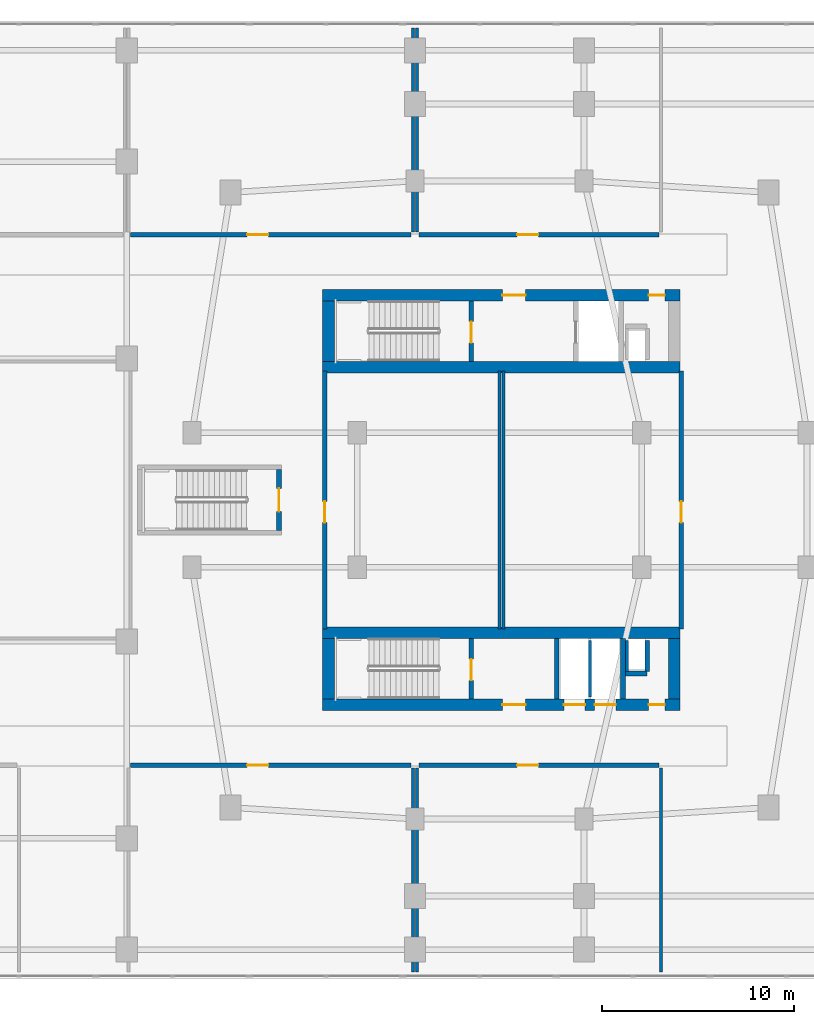
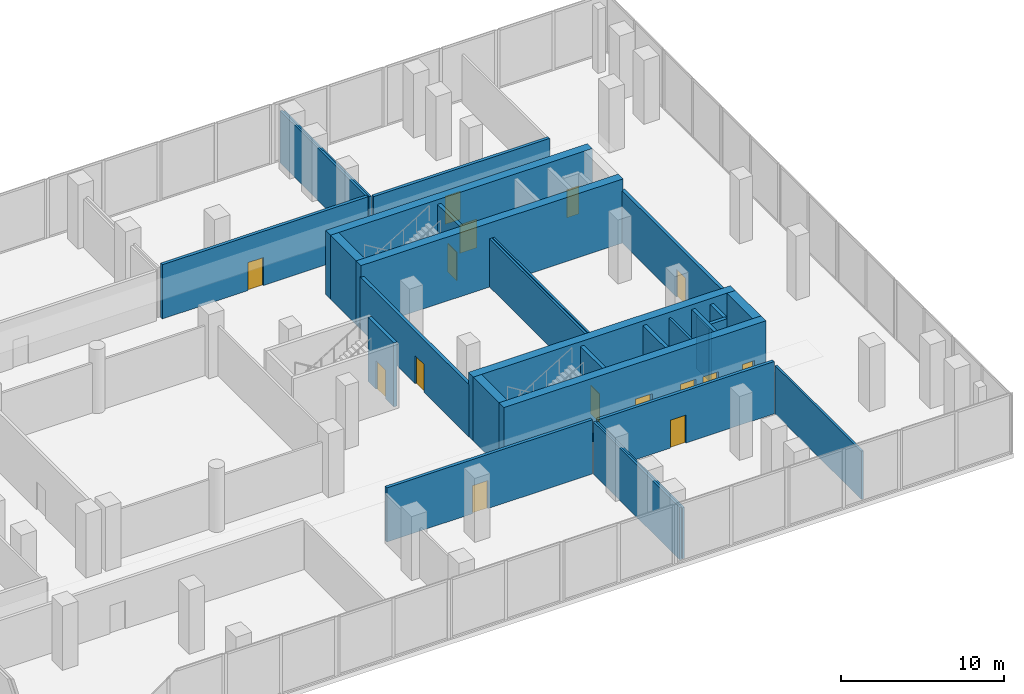
# One storey, part 16 of 23: 29 walls, 15 doors, 15 openings.
"""IFC4 building model written with IfcOpenShell, lengths in metres."""

from ifc_helpers import new_model, si_unit, derived_unit, direction, frame, frame_2d, origin, place, context, subcontext, project, spatial, rectangle, extrude, material, layer, layer_set, type_object, element, fill, save


model = new_model("IFC4")

# Units and contexts
model_context = context("Model", 3, precision=1e-05, world=origin(), true_north=direction((0.0, 1.0)))
body_context = subcontext(model_context, "Body", "Model", "MODEL_VIEW")
ifc_project = project(units=[si_unit("LENGTHUNIT", "METRE"), si_unit("AREAUNIT", "SQUARE_METRE"), si_unit("VOLUMEUNIT", "CUBIC_METRE"), si_unit("PLANEANGLEUNIT", "RADIAN"), si_unit("MASSUNIT", "GRAM", prefix="KILO"), derived_unit("THERMALTRANSMITTANCEUNIT", [(si_unit("POWERUNIT", "WATT"), 1), (si_unit("LENGTHUNIT", "METRE"), -2), (si_unit("THERMODYNAMICTEMPERATUREUNIT", "KELVIN"), -1)])], contexts=[model_context])

# Site, building, storey
site_placement = place(None, origin())
site = spatial("IfcSite", under=ifc_project, at=site_placement, CompositionType="ELEMENT")
building_placement = place(site_placement, origin())
building = spatial("IfcBuilding", under=site, at=building_placement, Name="Kivonza Crest Hotel", CompositionType="ELEMENT")
storey_placement = place(building_placement, frame((0.0, 0.0, 5.39990234375)))
storey = spatial("IfcBuildingStorey", under=building, at=storey_placement, Name="L01", CompositionType="ELEMENT", Elevation=5.39990234375)

# Wall, opening, door
ifc_material_1 = material(Name="Autoclaved aerated concrete blockwork", Category="masonry")
ifc_layer_1 = layer(ifc_material_1, 0.219970703125)
ifc_layer_set_1 = layer_set([ifc_layer_1], Name="Autoclaved aerated concrete blockwork")
wall_type_1 = type_object("IfcWallType", Name="WL-ACOU-220", PredefinedType="SOLIDWALL", material=ifc_layer_set_1)
wall_1_placement = place(storey_placement, frame((57.800048828125, 11.199951171875, 0.0), z_axis=(0.0, 0.0, 1.0), x_axis=(1.0, 0.0, 0.0)))
wall_1 = element("IfcWall", 1, at=wall_1_placement, inside=storey, type_object=wall_type_1, Name="L01 interior partition WA-L01-FOY-1M-N", PredefinedType="SOLIDWALL", context=body_context, shape_type="SweptSolid", body=[
    extrude(rectangle(XDim=14.599853515625, YDim=0.219970703125, at=frame_2d((7.2998046875, 0.0))), origin(), (0.0, 0.0, 1.0), 4.065185546875),
])
opening_1_placement = place(wall_1_placement, frame((6.06494140625, 0.0, 0.0)))
opening_1 = element("IfcOpeningElement", 2, at=opening_1_placement, cuts=wall_1, Name="Opening DF-60M", PredefinedType="OPENING", context=body_context, shape_type="SweptSolid", body=[
    extrude(rectangle(XDim=1.10009765625, YDim=2.10009765625, at=frame_2d((0.550048828125, 1.050048828125))), frame((0.0, 0.1201171875, 0.0), z_axis=(0.0, -1.0, 0.0), x_axis=(1.0, 0.0, 0.0)), (0.0, 0.0, 1.0), 0.239990234375),
])
ifc_material_2 = material(Name="Hardwood timber oak", Category="wood")
door_type_1 = type_object("IfcDoorType", Name="DR-FD60-1100", OperationType="NOTDEFINED", PredefinedType="DOOR", material=ifc_material_2)
door_1_placement = place(opening_1_placement, frame((1.10009765625, 0.0, 0.0), z_axis=(0.0, 0.0, 1.0), x_axis=(-1.0, 0.0, 0.0)))
door_1 = element("IfcDoor", 3, at=door_1_placement, inside=storey, type_object=door_type_1, Name="L01 Companion West Dining Salon door", OperationType="SINGLE_SWING_LEFT", OverallHeight=2.10009765625, OverallWidth=1.10009765625, PredefinedType="DOOR", context=body_context, shape_type="SweptSolid", body=[
    extrude(rectangle(XDim=1.10009765625, YDim=2.10009765625, at=frame_2d((0.550048828125, 1.050048828125))), frame((0.0, 0.02490234375, 0.0), z_axis=(0.0, -1.0, 0.0), x_axis=(1.0, 0.0, 0.0)), (0.0, 0.0, 1.0), 0.050048828125),
])
fill(opening_1, door_1)

wall_2_placement = place(storey_placement, frame((72.800048828125, 11.199951171875, 0.0), z_axis=(0.0, 0.0, 1.0), x_axis=(1.0, 0.0, 0.0)))
wall_2 = element("IfcWall", 4, at=wall_2_placement, inside=storey, type_object=wall_type_1, Name="L01 interior partition WA-L01-FOY-1E-N", PredefinedType="SOLIDWALL", context=body_context, shape_type="SweptSolid", body=[
    extrude(rectangle(XDim=12.5, YDim=0.219970703125, at=frame_2d((6.25, 0.0))), origin(), (0.0, 0.0, 1.0), 3.925048828125),
])
opening_2_placement = place(wall_2_placement, frame((5.1201171875, 0.0, 0.0)))
opening_2 = element("IfcOpeningElement", 5, at=opening_2_placement, cuts=wall_2, Name="Opening DF-60M", PredefinedType="OPENING", context=body_context, shape_type="SweptSolid", body=[
    extrude(rectangle(XDim=1.10009765625, YDim=2.10009765625, at=frame_2d((0.550048828125, 1.050048828125))), frame((0.0, 0.1201171875, 0.0), z_axis=(0.0, -1.0, 0.0), x_axis=(1.0, 0.0, 0.0)), (0.0, 0.0, 1.0), 0.239990234375),
])
door_2_placement = place(opening_2_placement, frame((1.10009765625, 0.0, 0.0), z_axis=(0.0, 0.0, 1.0), x_axis=(-1.0, 0.0, 0.0)))
door_2 = element("IfcDoor", 6, at=door_2_placement, inside=storey, type_object=door_type_1, Name="L01 Companion East Dining Salon door", OperationType="SINGLE_SWING_RIGHT", OverallHeight=2.10009765625, OverallWidth=1.10009765625, PredefinedType="DOOR", context=body_context, shape_type="SweptSolid", body=[
    extrude(rectangle(XDim=1.10009765625, YDim=2.10009765625, at=frame_2d((0.550048828125, 1.050048828125))), frame((0.0, 0.02490234375, 0.0), z_axis=(0.0, -1.0, 0.0), x_axis=(1.0, 0.0, 0.0)), (0.0, 0.0, 1.0), 0.050048828125),
])
fill(opening_2, door_2)

wall_3_placement = place(storey_placement, frame((67.89990234375, 18.300048828125, 0.0), z_axis=(0.0, 0.0, 1.0), x_axis=(0.0, 1.0, 0.0)))
wall_3 = element("IfcWall", 7, at=wall_3_placement, inside=storey, type_object=wall_type_1, Name="L01 interior partition WA-L01-RES-SAL-W", PredefinedType="SOLIDWALL", context=body_context, shape_type="SweptSolid", body=[
    extrude(rectangle(XDim=13.39990234375, YDim=0.219970703125, at=frame_2d((6.699951171875, 0.0))), origin(), (0.0, 0.0, 1.0), 3.925048828125),
])
opening_3_placement = place(wall_3_placement, frame((5.52490234375, 0.0, 0.0)))
opening_3 = element("IfcOpeningElement", 8, at=opening_3_placement, cuts=wall_3, Name="Opening DF-60M", PredefinedType="OPENING", context=body_context, shape_type="SweptSolid", body=[
    extrude(rectangle(XDim=1.10009765625, YDim=2.10009765625, at=frame_2d((0.550048828125, 1.050048828125))), frame((0.0, 0.1201171875, 0.0), z_axis=(0.0, -1.0, 0.0), x_axis=(1.0, 0.0, 0.0)), (0.0, 0.0, 1.0), 0.239990234375),
])
door_3_placement = place(opening_3_placement, frame((1.10009765625, 0.0, 0.0), z_axis=(0.0, 0.0, 1.0), x_axis=(-1.0, 0.0, 0.0)))
door_3 = element("IfcDoor", 9, at=door_3_placement, inside=storey, type_object=door_type_1, Name="L01 Residents Private Dining Salon door", OperationType="SINGLE_SWING_RIGHT", OverallHeight=2.10009765625, OverallWidth=1.10009765625, PredefinedType="DOOR", context=body_context, shape_type="SweptSolid", body=[
    extrude(rectangle(XDim=1.10009765625, YDim=2.10009765625, at=frame_2d((0.550048828125, 1.050048828125))), frame((0.0, 0.02490234375, 0.0), z_axis=(0.0, -1.0, 0.0), x_axis=(1.0, 0.0, 0.0)), (0.0, 0.0, 1.0), 0.050048828125),
])
fill(opening_3, door_3)

wall_4_placement = place(storey_placement, frame((86.449951171875, 18.300048828125, 0.0), z_axis=(0.0, 0.0, 1.0), x_axis=(0.0, 1.0, 0.0)))
wall_4 = element("IfcWall", 10, at=wall_4_placement, inside=storey, type_object=wall_type_1, Name="L01 interior partition WA-L01-RES-CLB-E", PredefinedType="SOLIDWALL", context=body_context, shape_type="SweptSolid", body=[
    extrude(rectangle(XDim=13.39990234375, YDim=0.219970703125, at=frame_2d((6.699951171875, 0.0))), origin(), (0.0, 0.0, 1.0), 3.925048828125),
])
opening_4_placement = place(wall_4_placement, frame((5.52490234375, 0.0, 0.0)))
opening_4 = element("IfcOpeningElement", 11, at=opening_4_placement, cuts=wall_4, Name="Opening DF-60M", PredefinedType="OPENING", context=body_context, shape_type="SweptSolid", body=[
    extrude(rectangle(XDim=1.10009765625, YDim=2.10009765625, at=frame_2d((0.550048828125, 1.050048828125))), frame((0.0, 0.1201171875, 0.0), z_axis=(0.0, -1.0, 0.0), x_axis=(1.0, 0.0, 0.0)), (0.0, 0.0, 1.0), 0.239990234375),
])
door_4_placement = place(opening_4_placement, origin())
door_4 = element("IfcDoor", 12, at=door_4_placement, inside=storey, type_object=door_type_1, Name="L01 Residents Club Reading Room door", OperationType="SINGLE_SWING_LEFT", OverallHeight=2.10009765625, OverallWidth=1.10009765625, PredefinedType="DOOR", context=body_context, shape_type="SweptSolid", body=[
    extrude(rectangle(XDim=1.10009765625, YDim=2.10009765625, at=frame_2d((0.550048828125, 1.050048828125))), frame((0.0, 0.02490234375, 0.0), z_axis=(0.0, -1.0, 0.0), x_axis=(1.0, 0.0, 0.0)), (0.0, 0.0, 1.0), 0.050048828125),
])
fill(opening_4, door_4)

wall_5_placement = place(storey_placement, frame((57.800048828125, 38.800048828125, 0.0), z_axis=(0.0, 0.0, 1.0), x_axis=(1.0, 0.0, 0.0)))
wall_5 = element("IfcWall", 13, at=wall_5_placement, inside=storey, type_object=wall_type_1, Name="L01 interior partition WA-L01-VIP-DIN2-S", PredefinedType="SOLIDWALL", context=body_context, shape_type="SweptSolid", body=[
    extrude(rectangle(XDim=14.599853515625, YDim=0.219970703125, at=frame_2d((7.2998046875, 0.0))), origin(), (0.0, 0.0, 1.0), 4.065185546875),
])
opening_5_placement = place(wall_5_placement, frame((6.06494140625, 0.0, 0.0)))
opening_5 = element("IfcOpeningElement", 14, at=opening_5_placement, cuts=wall_5, Name="Opening DF-60M", PredefinedType="OPENING", context=body_context, shape_type="SweptSolid", body=[
    extrude(rectangle(XDim=1.10009765625, YDim=2.10009765625, at=frame_2d((0.550048828125, 1.050048828125))), frame((0.0, 0.1201171875, 0.0), z_axis=(0.0, -1.0, 0.0), x_axis=(1.0, 0.0, 0.0)), (0.0, 0.0, 1.0), 0.239990234375),
])
door_5_placement = place(opening_5_placement, origin())
door_5 = element("IfcDoor", 15, at=door_5_placement, inside=storey, type_object=door_type_1, Name="L01 North Horizon Banquet Mid door", OperationType="SINGLE_SWING_RIGHT", OverallHeight=2.10009765625, OverallWidth=1.10009765625, PredefinedType="DOOR", context=body_context, shape_type="SweptSolid", body=[
    extrude(rectangle(XDim=1.10009765625, YDim=2.10009765625, at=frame_2d((0.550048828125, 1.050048828125))), frame((0.0, 0.02490234375, 0.0), z_axis=(0.0, -1.0, 0.0), x_axis=(1.0, 0.0, 0.0)), (0.0, 0.0, 1.0), 0.050048828125),
])
fill(opening_5, door_5)

wall_6_placement = place(storey_placement, frame((72.800048828125, 38.800048828125, 0.0), z_axis=(0.0, 0.0, 1.0), x_axis=(1.0, 0.0, 0.0)))
wall_6 = element("IfcWall", 16, at=wall_6_placement, inside=storey, type_object=wall_type_1, Name="L01 interior partition WA-L01-VIP-DIN3-S", PredefinedType="SOLIDWALL", context=body_context, shape_type="SweptSolid", body=[
    extrude(rectangle(XDim=12.5, YDim=0.219970703125, at=frame_2d((6.25, 0.0))), origin(), (0.0, 0.0, 1.0), 3.925048828125),
])
opening_6_placement = place(wall_6_placement, frame((5.1201171875, 0.0, 0.0)))
opening_6 = element("IfcOpeningElement", 17, at=opening_6_placement, cuts=wall_6, Name="Opening DF-60M", PredefinedType="OPENING", context=body_context, shape_type="SweptSolid", body=[
    extrude(rectangle(XDim=1.10009765625, YDim=2.10009765625, at=frame_2d((0.550048828125, 1.050048828125))), frame((0.0, 0.1201171875, 0.0), z_axis=(0.0, -1.0, 0.0), x_axis=(1.0, 0.0, 0.0)), (0.0, 0.0, 1.0), 0.239990234375),
])
door_6_placement = place(opening_6_placement, origin())
door_6 = element("IfcDoor", 18, at=door_6_placement, inside=storey, type_object=door_type_1, Name="L01 North Horizon Banquet East door", OperationType="SINGLE_SWING_LEFT", OverallHeight=2.10009765625, OverallWidth=1.10009765625, PredefinedType="DOOR", context=body_context, shape_type="SweptSolid", body=[
    extrude(rectangle(XDim=1.10009765625, YDim=2.10009765625, at=frame_2d((0.550048828125, 1.050048828125))), frame((0.0, 0.02490234375, 0.0), z_axis=(0.0, -1.0, 0.0), x_axis=(1.0, 0.0, 0.0)), (0.0, 0.0, 1.0), 0.050048828125),
])
fill(opening_6, door_6)

# Wall
ifc_material_3 = material(Name="Concrete C60/75", Category="concrete")
ifc_layer_2 = layer(ifc_material_3, 0.60009765625)
ifc_layer_set_2 = layer_set([ifc_layer_2], Name="Concrete C60/75")
wall_type_2 = type_object("IfcWallType", Name="WL-CORE-600", PredefinedType="SHEAR", material=ifc_layer_set_2)
wall_7_placement = place(storey_placement, frame((67.800048828125, 31.89990234375, 0.0), z_axis=(0.0, 0.0, 1.0), x_axis=(1.0, 0.0, 0.0)))
element("IfcWall", 19, at=wall_7_placement, inside=storey, type_object=wall_type_2, Name="Core wall T2-N South L01", PredefinedType="SHEAR", context=body_context, shape_type="SweptSolid", body=[
    extrude(rectangle(XDim=18.599853515625, YDim=0.60009765625, at=frame_2d((9.2998046875, 0.0))), origin(), (0.0, 0.0, 1.0), 4.800048828125),
])

# Wall, openings, doors
wall_8_placement = place(storey_placement, frame((67.800048828125, 35.659912109375, 0.0), z_axis=(0.0, 0.0, 1.0), x_axis=(1.0, 0.0, 0.0)))
wall_8 = element("IfcWall", 20, at=wall_8_placement, inside=storey, type_object=wall_type_2, Name="Core wall T2-N North L01", PredefinedType="SHEAR", context=body_context, shape_type="SweptSolid", body=[
    extrude(rectangle(XDim=18.599853515625, YDim=0.60009765625, at=frame_2d((9.2998046875, 0.0))), origin(), (0.0, 0.0, 1.0), 4.800048828125),
])
opening_7_placement = place(wall_8_placement, frame((9.35009765625, 0.0, 0.0)))
opening_7 = element("IfcOpeningElement", 21, at=opening_7_placement, cuts=wall_8, Name="Opening DF-60", PredefinedType="OPENING", context=body_context, shape_type="SweptSolid", body=[
    extrude(rectangle(XDim=1.199951171875, YDim=2.14990234375, at=frame_2d((0.60009765625, 1.074951171875))), frame((0.0, 0.31005859375, 0.0), z_axis=(0.0, -1.0, 0.0), x_axis=(1.0, 0.0, 0.0)), (0.0, 0.0, 1.0), 0.6201171875),
])
opening_8_placement = place(wall_8_placement, frame((16.949951171875, 0.0, 0.0)))
opening_8 = element("IfcOpeningElement", 22, at=opening_8_placement, cuts=wall_8, Name="Opening DF-60R", PredefinedType="OPENING", context=body_context, shape_type="SweptSolid", body=[
    extrude(rectangle(XDim=0.85009765625, YDim=2.10009765625, at=frame_2d((0.425048828125, 1.050048828125))), frame((0.0, 0.31005859375, 0.0), z_axis=(0.0, -1.0, 0.0), x_axis=(1.0, 0.0, 0.0)), (0.0, 0.0, 1.0), 0.6201171875),
])
door_type_2 = type_object("IfcDoorType", Name="DR-FD60-1200", OperationType="NOTDEFINED", PredefinedType="DOOR", material=ifc_material_2)
door_7_placement = place(opening_7_placement, origin())
door_7 = element("IfcDoor", 23, at=door_7_placement, inside=storey, type_object=door_type_2, Name="L01 T2-N firefighting lobby fire door", OperationType="SINGLE_SWING_RIGHT", OverallHeight=2.14990234375, OverallWidth=1.199951171875, PredefinedType="DOOR", context=body_context, shape_type="SweptSolid", body=[
    extrude(rectangle(XDim=1.199951171875, YDim=2.14990234375, at=frame_2d((0.60009765625, 1.074951171875))), frame((0.0, 0.02490234375, 0.0), z_axis=(0.0, -1.0, 0.0), x_axis=(1.0, 0.0, 0.0)), (0.0, 0.0, 1.0), 0.050048828125),
])
fill(opening_7, door_7)
door_type_3 = type_object("IfcDoorType", Name="DR-FD60-850", OperationType="NOTDEFINED", PredefinedType="DOOR", material=ifc_material_2)
door_8_placement = place(opening_8_placement, origin())
door_8 = element("IfcDoor", 24, at=door_8_placement, inside=storey, type_object=door_type_3, Name="L01 T2-N core room door", OperationType="SINGLE_SWING_RIGHT", OverallHeight=2.10009765625, OverallWidth=0.85009765625, PredefinedType="DOOR", context=body_context, shape_type="SweptSolid", body=[
    extrude(rectangle(XDim=0.85009765625, YDim=2.10009765625, at=frame_2d((0.425048828125, 1.050048828125))), frame((0.0, 0.02490234375, 0.0), z_axis=(0.0, -1.0, 0.0), x_axis=(1.0, 0.0, 0.0)), (0.0, 0.0, 1.0), 0.050048828125),
])
fill(opening_8, door_8)

# Wall
wall_9_placement = place(storey_placement, frame((68.10009765625, 32.199951171875, 0.0), z_axis=(0.0, 0.0, 1.0), x_axis=(0.0, 1.0, 0.0)))
element("IfcWall", 25, at=wall_9_placement, inside=storey, type_object=wall_type_2, Name="Core wall T2-N West L01", PredefinedType="SHEAR", context=body_context, shape_type="SweptSolid", body=[
    extrude(rectangle(XDim=3.16015625, YDim=0.60009765625, at=frame_2d((1.580078125, 0.0))), origin(), (0.0, 0.0, 1.0), 4.800048828125),
])

# Wall, openings, doors
wall_10_placement = place(storey_placement, frame((67.800048828125, 14.340087890625, 0.0), z_axis=(0.0, 0.0, 1.0), x_axis=(1.0, 0.0, 0.0)))
wall_10 = element("IfcWall", 26, at=wall_10_placement, inside=storey, type_object=wall_type_2, Name="Core wall T2-S South L01", PredefinedType="SHEAR", context=body_context, shape_type="SweptSolid", body=[
    extrude(rectangle(XDim=18.599853515625, YDim=0.60009765625, at=frame_2d((9.2998046875, 0.0))), origin(), (0.0, 0.0, 1.0), 4.800048828125),
])
opening_9_placement = place(wall_10_placement, frame((9.35009765625, 0.0, 0.0)))
opening_9 = element("IfcOpeningElement", 27, at=opening_9_placement, cuts=wall_10, Name="Opening DF-60", PredefinedType="OPENING", context=body_context, shape_type="SweptSolid", body=[
    extrude(rectangle(XDim=1.199951171875, YDim=2.14990234375, at=frame_2d((0.60009765625, 1.074951171875))), frame((0.0, 0.31005859375, 0.0), z_axis=(0.0, -1.0, 0.0), x_axis=(1.0, 0.0, 0.0)), (0.0, 0.0, 1.0), 0.6201171875),
])
opening_10_placement = place(wall_10_placement, frame((16.949951171875, 0.0, 0.0)))
opening_10 = element("IfcOpeningElement", 28, at=opening_10_placement, cuts=wall_10, Name="Opening DF-60R", PredefinedType="OPENING", context=body_context, shape_type="SweptSolid", body=[
    extrude(rectangle(XDim=0.85009765625, YDim=2.10009765625, at=frame_2d((0.425048828125, 1.050048828125))), frame((0.0, 0.31005859375, 0.0), z_axis=(0.0, -1.0, 0.0), x_axis=(1.0, 0.0, 0.0)), (0.0, 0.0, 1.0), 0.6201171875),
])
opening_11_placement = place(wall_10_placement, frame((12.550048828125, 0.0, 0.0)))
opening_11 = element("IfcOpeningElement", 29, at=opening_11_placement, cuts=wall_10, Name="Opening LD-120", PredefinedType="OPENING", context=body_context, shape_type="SweptSolid", body=[
    extrude(rectangle(XDim=1.10009765625, YDim=2.14990234375, at=frame_2d((0.550048828125, 1.074951171875))), frame((0.0, 0.31005859375, 0.0), z_axis=(0.0, -1.0, 0.0), x_axis=(1.0, 0.0, 0.0)), (0.0, 0.0, 1.0), 0.6201171875),
])
opening_12_placement = place(wall_10_placement, frame((14.14990234375, 0.0, 0.0)))
opening_12 = element("IfcOpeningElement", 30, at=opening_12_placement, cuts=wall_10, Name="Opening LD-120", PredefinedType="OPENING", context=body_context, shape_type="SweptSolid", body=[
    extrude(rectangle(XDim=1.10009765625, YDim=2.14990234375, at=frame_2d((0.550048828125, 1.074951171875))), frame((0.0, 0.31005859375, 0.0), z_axis=(0.0, -1.0, 0.0), x_axis=(1.0, 0.0, 0.0)), (0.0, 0.0, 1.0), 0.6201171875),
])
door_9_placement = place(opening_9_placement, frame((1.199951171875, 0.0, 0.0), z_axis=(0.0, 0.0, 1.0), x_axis=(-1.0, 0.0, 0.0)))
door_9 = element("IfcDoor", 31, at=door_9_placement, inside=storey, type_object=door_type_2, Name="L01 T2-S firefighting lobby fire door", OperationType="SINGLE_SWING_LEFT", OverallHeight=2.14990234375, OverallWidth=1.199951171875, PredefinedType="DOOR", context=body_context, shape_type="SweptSolid", body=[
    extrude(rectangle(XDim=1.199951171875, YDim=2.14990234375, at=frame_2d((0.60009765625, 1.074951171875))), frame((0.0, 0.02490234375, 0.0), z_axis=(0.0, -1.0, 0.0), x_axis=(1.0, 0.0, 0.0)), (0.0, 0.0, 1.0), 0.050048828125),
])
fill(opening_9, door_9)
door_10_placement = place(opening_10_placement, frame((0.85009765625, 0.0, 0.0), z_axis=(0.0, 0.0, 1.0), x_axis=(-1.0, 0.0, 0.0)))
door_10 = element("IfcDoor", 32, at=door_10_placement, inside=storey, type_object=door_type_3, Name="L01 T2-S core room door", OperationType="SINGLE_SWING_RIGHT", OverallHeight=2.10009765625, OverallWidth=0.85009765625, PredefinedType="DOOR", context=body_context, shape_type="SweptSolid", body=[
    extrude(rectangle(XDim=0.85009765625, YDim=2.10009765625, at=frame_2d((0.425048828125, 1.050048828125))), frame((0.0, 0.02490234375, 0.0), z_axis=(0.0, -1.0, 0.0), x_axis=(1.0, 0.0, 0.0)), (0.0, 0.0, 1.0), 0.050048828125),
])
fill(opening_10, door_10)
ifc_material_4 = material(Name="Stainless steel", Category="steel")
door_type_4 = type_object("IfcDoorType", Name="DR-LD120-1100", OperationType="NOTDEFINED", PredefinedType="DOOR", material=ifc_material_4)
door_11_placement = place(opening_11_placement, frame((1.10009765625, 0.0, 0.0), z_axis=(0.0, 0.0, 1.0), x_axis=(-1.0, 0.0, 0.0)))
door_11 = element("IfcDoor", 33, at=door_11_placement, inside=storey, type_object=door_type_4, Name="L01 PL-T2-1 passenger lift sliding landing door", OperationType="DOUBLE_DOOR_SLIDING", OverallHeight=2.14990234375, OverallWidth=1.10009765625, PredefinedType="DOOR", context=body_context, shape_type="SweptSolid", body=[
    extrude(rectangle(XDim=1.10009765625, YDim=2.14990234375, at=frame_2d((0.550048828125, 1.074951171875))), frame((0.0, 0.02490234375, 0.0), z_axis=(0.0, -1.0, 0.0), x_axis=(1.0, 0.0, 0.0)), (0.0, 0.0, 1.0), 0.050048828125),
])
fill(opening_11, door_11)
door_12_placement = place(opening_12_placement, frame((1.10009765625, 0.0, 0.0), z_axis=(0.0, 0.0, 1.0), x_axis=(-1.0, 0.0, 0.0)))
door_12 = element("IfcDoor", 34, at=door_12_placement, inside=storey, type_object=door_type_4, Name="L01 PL-T2-2 passenger lift sliding landing door", OperationType="DOUBLE_DOOR_SLIDING", OverallHeight=2.14990234375, OverallWidth=1.10009765625, PredefinedType="DOOR", context=body_context, shape_type="SweptSolid", body=[
    extrude(rectangle(XDim=1.10009765625, YDim=2.14990234375, at=frame_2d((0.550048828125, 1.074951171875))), frame((0.0, 0.02490234375, 0.0), z_axis=(0.0, -1.0, 0.0), x_axis=(1.0, 0.0, 0.0)), (0.0, 0.0, 1.0), 0.050048828125),
])
fill(opening_12, door_12)

# Walls
wall_11_placement = place(storey_placement, frame((67.800048828125, 18.10009765625, 0.0), z_axis=(0.0, 0.0, 1.0), x_axis=(1.0, 0.0, 0.0)))
element("IfcWall", 35, at=wall_11_placement, inside=storey, type_object=wall_type_2, Name="Core wall T2-S North L01", PredefinedType="SHEAR", context=body_context, shape_type="SweptSolid", body=[
    extrude(rectangle(XDim=18.599853515625, YDim=0.60009765625, at=frame_2d((9.2998046875, 0.0))), origin(), (0.0, 0.0, 1.0), 4.800048828125),
])
for number, where, z_axis, x_axis, name in (
    (36, (68.10009765625, 14.639892578125, 0.0), (0.0, 0.0, 1.0), (0.0, 1.0, 0.0), "Core wall T2-S West L01"),
    (37, (86.10009765625, 14.639892578125, 0.0), (0.0, 0.0, 1.0), (0.0, 1.0, 0.0), "Core wall T2-S East L01"),
):
    element("IfcWall", number, at=place(storey_placement, frame(where, z_axis=z_axis, x_axis=x_axis)), inside=storey, type_object=wall_type_2, Name=name, PredefinedType="SHEAR", context=body_context, shape_type="SweptSolid", body=[
        extrude(rectangle(XDim=3.16015625, YDim=0.60009765625, at=frame_2d((1.580078125, 0.0))), origin(), (0.0, 0.0, 1.0), 4.800048828125),
    ])
ifc_material_5 = material(Name="Concrete blockwork fire-compartment wall", Category="masonry")
ifc_layer_3 = layer(ifc_material_5, 0.25)
ifc_layer_set_3 = layer_set([ifc_layer_3], Name="Concrete blockwork fire-compartment wall")
wall_type_3 = type_object("IfcWallType", Name="WL-FIRE-250", PredefinedType="SOLIDWALL", material=ifc_layer_set_3)
wall_12_placement = place(storey_placement, frame((84.679931640625, 16.080078125, 0.0), z_axis=(0.0, 0.0, 1.0), x_axis=(0.0, 1.0, 0.0)))
element("IfcWall", 38, at=wall_12_placement, inside=storey, type_object=wall_type_3, Name="L01 interior partition WA-L01-T2-S-MEPR-E", PredefinedType="SOLIDWALL", context=body_context, shape_type="SweptSolid", body=[
    extrude(rectangle(XDim=1.619873046875, YDim=0.25, at=frame_2d((0.81005859375, 0.0))), origin(), (0.0, 0.0, 1.0), 4.4501953125),
])
wall_13_placement = place(storey_placement, frame((83.550048828125, 15.97998046875, 0.0), z_axis=(0.0, 0.0, 1.0), x_axis=(1.0, 0.0, 0.0)))
element("IfcWall", 39, at=wall_13_placement, inside=storey, type_object=wall_type_3, Name="L01 interior partition WA-L01-T2-S-MEPR-H", PredefinedType="SOLIDWALL", context=body_context, shape_type="SweptSolid", body=[
    extrude(rectangle(XDim=1.1298828125, YDim=0.25, at=frame_2d((0.56494140625, 0.0))), origin(), (0.0, 0.0, 1.0), 4.4501953125),
])
ifc_material_6 = material(Name="Twin-stud acoustic gypsum board partition", Category="gypsum")
ifc_layer_4 = layer(ifc_material_6, 0.14990234375)
ifc_layer_set_4 = layer_set([ifc_layer_4], Name="Twin-stud acoustic gypsum board partition")
wall_type_4 = type_object("IfcWallType", Name="WL-PART-150", PredefinedType="PARTITIONING", material=ifc_layer_set_4)
wall_14_placement = place(storey_placement, frame((83.6298828125, 16.080078125, 0.0), z_axis=(0.0, 0.0, 1.0), x_axis=(0.0, 1.0, 0.0)))
element("IfcWall", 40, at=wall_14_placement, inside=storey, type_object=wall_type_4, Name="L01 interior partition WA-L01-T2-S-MEPR-W", PredefinedType="PARTITIONING", context=body_context, shape_type="SweptSolid", body=[
    extrude(rectangle(XDim=1.619873046875, YDim=0.14990234375, at=frame_2d((0.81005859375, 0.0))), origin(), (0.0, 0.0, 1.0), 3.925048828125),
])
wall_15_placement = place(storey_placement, frame((81.699951171875, 14.739990234375, 0.0), z_axis=(0.0, 0.0, 1.0), x_axis=(0.0, 1.0, 0.0)))
element("IfcWall", 41, at=wall_15_placement, inside=storey, type_object=wall_type_4, Name="L01 interior partition WP-L01-T2-S-BSH-1", PredefinedType="PARTITIONING", context=body_context, shape_type="SweptSolid", body=[
    extrude(rectangle(XDim=2.9599609375, YDim=0.14990234375, at=frame_2d((1.47998046875, 0.0))), origin(), (0.0, 0.0, 1.0), 4.4501953125),
])
wall_16_placement = place(storey_placement, frame((72.5, 0.449951171875, 0.0), z_axis=(0.0, 0.0, 1.0), x_axis=(0.0, 1.0, 0.0)))
element("IfcWall", 42, at=wall_16_placement, inside=storey, type_object=wall_type_4, Name="L01 interior partition WP-L01-FOY-1M-BE", PredefinedType="PARTITIONING", context=body_context, shape_type="SweptSolid", body=[
    extrude(rectangle(XDim=10.60009765625, YDim=0.14990234375, at=frame_2d((5.300048828125, 0.0))), origin(), (0.0, 0.0, 1.0), 3.925048828125),
])
wall_17_placement = place(storey_placement, frame((72.699951171875, 0.449951171875, 0.0), z_axis=(0.0, 0.0, 1.0), x_axis=(0.0, 1.0, 0.0)))
element("IfcWall", 43, at=wall_17_placement, inside=storey, type_object=wall_type_4, Name="L01 interior partition WP-L01-FOY-1E-BW", PredefinedType="PARTITIONING", context=body_context, shape_type="SweptSolid", body=[
    extrude(rectangle(XDim=10.60009765625, YDim=0.14990234375, at=frame_2d((5.300048828125, 0.0))), origin(), (0.0, 0.0, 1.0), 3.8251953125),
])
wall_18_placement = place(storey_placement, frame((85.39990234375, 0.449951171875, 0.0), z_axis=(0.0, 0.0, 1.0), x_axis=(0.0, 1.0, 0.0)))
element("IfcWall", 44, at=wall_18_placement, inside=storey, type_object=wall_type_4, Name="L01 interior partition WP-L01-FOY-1E-BE", PredefinedType="PARTITIONING", context=body_context, shape_type="SweptSolid", body=[
    extrude(rectangle(XDim=10.60009765625, YDim=0.14990234375, at=frame_2d((5.300048828125, 0.0))), origin(), (0.0, 0.0, 1.0), 3.625),
])
for number, where, z_axis, x_axis, name in (
    (45, (77.0, 18.300048828125, 0.0), (0.0, 0.0, 1.0), (0.0, 1.0, 0.0), "L01 interior partition WP-L01-RES-SAL-BE"),
    (46, (77.199951171875, 18.300048828125, 0.0), (0.0, 0.0, 1.0), (0.0, 1.0, 0.0), "L01 interior partition WP-L01-RES-CLB-BW"),
):
    element("IfcWall", number, at=place(storey_placement, frame(where, z_axis=z_axis, x_axis=x_axis)), inside=storey, type_object=wall_type_4, Name=name, PredefinedType="PARTITIONING", context=body_context, shape_type="SweptSolid", body=[
        extrude(rectangle(XDim=13.39990234375, YDim=0.14990234375, at=frame_2d((6.699951171875, 0.0))), origin(), (0.0, 0.0, 1.0), 3.625),
    ])
wall_19_placement = place(storey_placement, frame((72.5, 38.949951171875, 0.0), z_axis=(0.0, 0.0, 1.0), x_axis=(0.0, 1.0, 0.0)))
element("IfcWall", 47, at=wall_19_placement, inside=storey, type_object=wall_type_4, Name="L01 interior partition WP-L01-VIP-DIN2-BE", PredefinedType="PARTITIONING", context=body_context, shape_type="SweptSolid", body=[
    extrude(rectangle(XDim=10.60009765625, YDim=0.14990234375, at=frame_2d((5.300048828125, 0.0))), origin(), (0.0, 0.0, 1.0), 3.925048828125),
])
wall_20_placement = place(storey_placement, frame((72.699951171875, 38.949951171875, 0.0), z_axis=(0.0, 0.0, 1.0), x_axis=(0.0, 1.0, 0.0)))
element("IfcWall", 48, at=wall_20_placement, inside=storey, type_object=wall_type_4, Name="L01 interior partition WP-L01-VIP-DIN3-BW", PredefinedType="PARTITIONING", context=body_context, shape_type="SweptSolid", body=[
    extrude(rectangle(XDim=10.60009765625, YDim=0.14990234375, at=frame_2d((5.300048828125, 0.0))), origin(), (0.0, 0.0, 1.0), 3.8251953125),
])

# Wall, opening, door
ifc_material_7 = material(Name="Concrete C50/60", Category="concrete")
ifc_layer_5 = layer(ifc_material_7, 0.25)
ifc_layer_set_5 = layer_set([ifc_layer_5], Name="Concrete C50/60")
wall_type_5 = type_object("IfcWallType", Name="WL-SHAFT-250", PredefinedType="STANDARD", material=ifc_layer_set_5)
wall_21_placement = place(storey_placement, frame((75.52490234375, 32.199951171875, 0.0), z_axis=(0.0, 0.0, 1.0), x_axis=(0.0, 1.0, 0.0)))
wall_21 = element("IfcWall", 49, at=wall_21_placement, inside=storey, type_object=wall_type_5, Name="Core shaft wall T2-N STAIR L01", PredefinedType="STANDARD", context=body_context, shape_type="SweptSolid", body=[
    extrude(rectangle(XDim=3.16015625, YDim=0.25, at=frame_2d((1.580078125, 0.0))), origin(), (0.0, 0.0, 1.0), 4.4501953125),
])
opening_13_placement = place(wall_21_placement, frame((0.97998046875, 0.0, 0.0)))
opening_13 = element("IfcOpeningElement", 50, at=opening_13_placement, cuts=wall_21, Name="Opening DF-120", PredefinedType="OPENING", context=body_context, shape_type="SweptSolid", body=[
    extrude(rectangle(XDim=1.10009765625, YDim=2.14990234375, at=frame_2d((0.550048828125, 1.074951171875))), frame((0.0, 0.135009765625, 0.0), z_axis=(0.0, -1.0, 0.0), x_axis=(1.0, 0.0, 0.0)), (0.0, 0.0, 1.0), 0.27001953125),
])
ifc_material_8 = material(Name="Galvanised steel", Category="steel")
door_type_5 = type_object("IfcDoorType", Name="DR-FD120-1100", OperationType="NOTDEFINED", PredefinedType="DOOR", material=ifc_material_8)
door_13_placement = place(opening_13_placement, frame((1.10009765625, 0.0, 0.0), z_axis=(0.0, 0.0, 1.0), x_axis=(-1.0, 0.0, 0.0)))
door_13 = element("IfcDoor", 51, at=door_13_placement, inside=storey, type_object=door_type_5, Name="L01 T2-N stair fire door", OperationType="SINGLE_SWING_LEFT", OverallHeight=2.14990234375, OverallWidth=1.10009765625, PredefinedType="DOOR", context=body_context, shape_type="SweptSolid", body=[
    extrude(rectangle(XDim=1.10009765625, YDim=2.14990234375, at=frame_2d((0.550048828125, 1.074951171875))), frame((0.0, 0.02490234375, 0.0), z_axis=(0.0, -1.0, 0.0), x_axis=(1.0, 0.0, 0.0)), (0.0, 0.0, 1.0), 0.050048828125),
])
fill(opening_13, door_13)

wall_22_placement = place(storey_placement, frame((75.52490234375, 14.639892578125, 0.0), z_axis=(0.0, 0.0, 1.0), x_axis=(0.0, 1.0, 0.0)))
wall_22 = element("IfcWall", 52, at=wall_22_placement, inside=storey, type_object=wall_type_5, Name="Core shaft wall T2-S STAIR L01", PredefinedType="STANDARD", context=body_context, shape_type="SweptSolid", body=[
    extrude(rectangle(XDim=3.16015625, YDim=0.25, at=frame_2d((1.580078125, 0.0))), origin(), (0.0, 0.0, 1.0), 4.4501953125),
])
opening_14_placement = place(wall_22_placement, frame((0.97998046875, 0.0, 0.0)))
opening_14 = element("IfcOpeningElement", 53, at=opening_14_placement, cuts=wall_22, Name="Opening DF-120", PredefinedType="OPENING", context=body_context, shape_type="SweptSolid", body=[
    extrude(rectangle(XDim=1.10009765625, YDim=2.14990234375, at=frame_2d((0.550048828125, 1.074951171875))), frame((0.0, 0.135009765625, 0.0), z_axis=(0.0, -1.0, 0.0), x_axis=(1.0, 0.0, 0.0)), (0.0, 0.0, 1.0), 0.27001953125),
])
door_14_placement = place(opening_14_placement, frame((1.10009765625, 0.0, 0.0), z_axis=(0.0, 0.0, 1.0), x_axis=(-1.0, 0.0, 0.0)))
door_14 = element("IfcDoor", 54, at=door_14_placement, inside=storey, type_object=door_type_5, Name="L01 T2-S stair fire door", OperationType="SINGLE_SWING_RIGHT", OverallHeight=2.14990234375, OverallWidth=1.10009765625, PredefinedType="DOOR", context=body_context, shape_type="SweptSolid", body=[
    extrude(rectangle(XDim=1.10009765625, YDim=2.14990234375, at=frame_2d((0.550048828125, 1.074951171875))), frame((0.0, 0.02490234375, 0.0), z_axis=(0.0, -1.0, 0.0), x_axis=(1.0, 0.0, 0.0)), (0.0, 0.0, 1.0), 0.050048828125),
])
fill(opening_14, door_14)

# Walls
for number, where, z_axis, x_axis, name in (
    (55, (79.97509765625, 14.639892578125, 0.0), (0.0, 0.0, 1.0), (0.0, 1.0, 0.0), "Core shaft wall T2-S BANK-W L01"),
    (56, (83.425048828125, 14.639892578125, 0.0), (0.0, 0.0, 1.0), (0.0, 1.0, 0.0), "Core shaft wall T2-S BANK-E L01"),
):
    element("IfcWall", number, at=place(storey_placement, frame(where, z_axis=z_axis, x_axis=x_axis)), inside=storey, type_object=wall_type_5, Name=name, PredefinedType="STANDARD", context=body_context, shape_type="SweptSolid", body=[
        extrude(rectangle(XDim=3.16015625, YDim=0.25, at=frame_2d((1.580078125, 0.0))), origin(), (0.0, 0.0, 1.0), 4.4501953125),
    ])

# Wall, opening, door
wall_23_placement = place(storey_placement, frame((65.52490234375, 23.419921875, 0.0), z_axis=(0.0, 0.0, 1.0), x_axis=(0.0, 1.0, 0.0)))
wall_23 = element("IfcWall", 57, at=wall_23_placement, inside=storey, type_object=wall_type_5, Name="Podium stair enclosure wall ST-POD-E E L01", PredefinedType="STANDARD", context=body_context, shape_type="SweptSolid", body=[
    extrude(rectangle(XDim=3.16015625, YDim=0.25, at=frame_2d((1.580078125, 0.0))), origin(), (0.0, 0.0, 1.0), 4.800048828125),
])
opening_15_placement = place(wall_23_placement, frame((0.97998046875, 0.0, 0.0)))
opening_15 = element("IfcOpeningElement", 58, at=opening_15_placement, cuts=wall_23, Name="Opening DF-120W", PredefinedType="OPENING", context=body_context, shape_type="SweptSolid", body=[
    extrude(rectangle(XDim=1.199951171875, YDim=2.14990234375, at=frame_2d((0.60009765625, 1.074951171875))), frame((0.0, 0.135009765625, 0.0), z_axis=(0.0, -1.0, 0.0), x_axis=(1.0, 0.0, 0.0)), (0.0, 0.0, 1.0), 0.27001953125),
])
door_type_6 = type_object("IfcDoorType", Name="DR-FD120-1200", OperationType="NOTDEFINED", PredefinedType="DOOR", material=ifc_material_8)
door_15_placement = place(opening_15_placement, frame((1.199951171875, 0.0, 0.0), z_axis=(0.0, 0.0, 1.0), x_axis=(-1.0, 0.0, 0.0)))
door_15 = element("IfcDoor", 59, at=door_15_placement, inside=storey, type_object=door_type_6, Name="L01 ST-POD-E podium stair fire door", OperationType="SINGLE_SWING_LEFT", OverallHeight=2.14990234375, OverallWidth=1.199951171875, PredefinedType="DOOR", context=body_context, shape_type="SweptSolid", body=[
    extrude(rectangle(XDim=1.199951171875, YDim=2.14990234375, at=frame_2d((0.60009765625, 1.074951171875))), frame((0.0, 0.02490234375, 0.0), z_axis=(0.0, -1.0, 0.0), x_axis=(1.0, 0.0, 0.0)), (0.0, 0.0, 1.0), 0.050048828125),
])
fill(opening_15, door_15)

save(model, "model.ifc")
